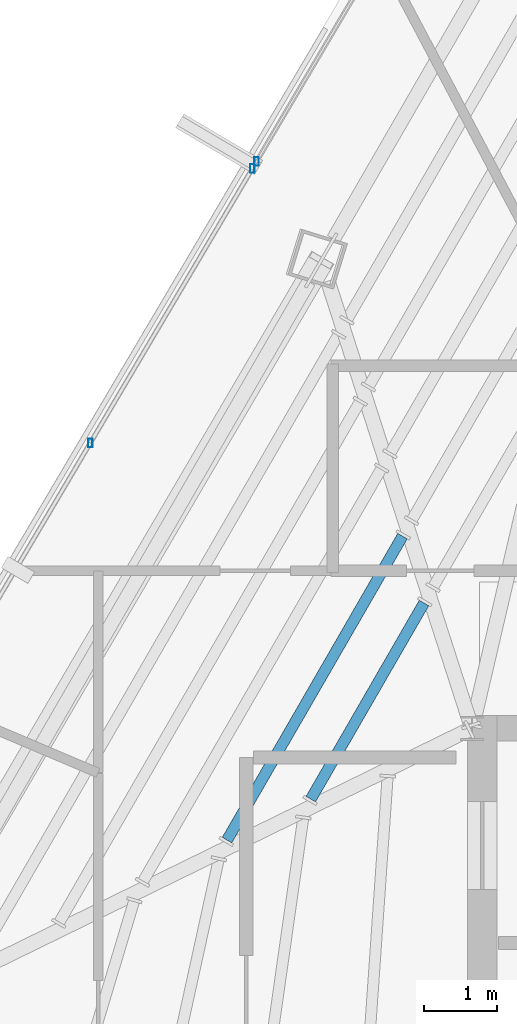
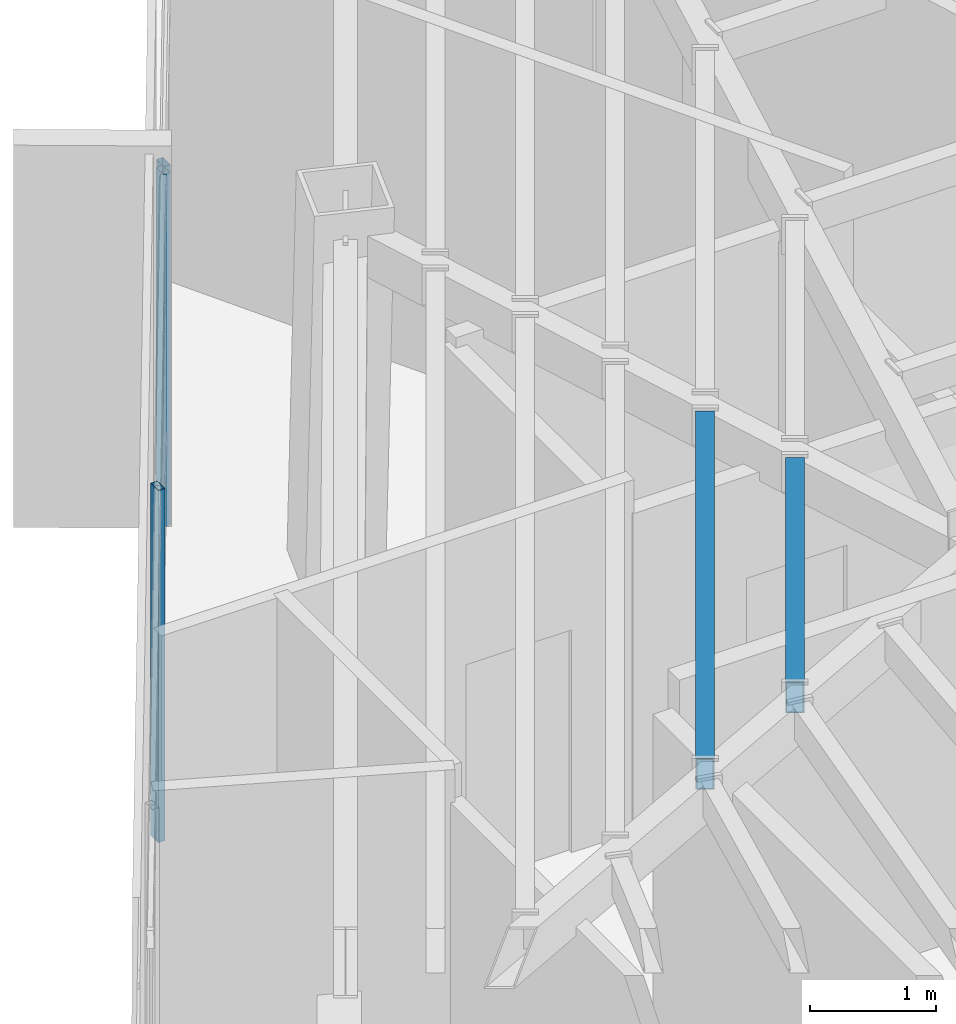
# One storey, part 17 of 45: 3 members, 2 beams, 2 elements without a shape of their own.
"""IFC4 building model written with IfcOpenShell, lengths in metres."""

from ifc_helpers import new_model, si_unit, direction, frame, origin, origin_2d, place, context, subcontext, project, spatial, hollow_rectangle, extrude, source, transform, mapped, material, material_profile, profile_set, type_object, type_shapes, element, aggregate, save


model = new_model("IFC4")

# Units and contexts
model_context = context("Model", 3, precision=1e-05, world=origin(), true_north=direction((0.0, 1.0)))
body_context = subcontext(model_context, "Body", "Model", "MODEL_VIEW")
ifc_project = project(units=[si_unit("LENGTHUNIT", "METRE"), si_unit("AREAUNIT", "SQUARE_METRE"), si_unit("VOLUMEUNIT", "CUBIC_METRE"), si_unit("PLANEANGLEUNIT", "RADIAN"), si_unit("MASSUNIT", "GRAM", prefix="KILO")], contexts=[model_context])

# Site, building, storey
site_placement = place(None, origin())
site = spatial("IfcSite", under=ifc_project, at=site_placement, CompositionType="ELEMENT")
building_placement = place(site_placement, origin())
building = spatial("IfcBuilding", under=site, at=building_placement, Name="Caelisora Broadcast Tower", CompositionType="ELEMENT")
storey_placement = place(building_placement, frame((0.0, 0.0, 262.699951171875)))
storey = spatial("IfcBuildingStorey", under=building, at=storey_placement, Name="L69", CompositionType="ELEMENT", Elevation=262.699951171875)

# Beams
ifc_material_1 = material(Name="Steel Grade 350 (AS/NZS 1163 C350L0)", Category="steel")
ifc_material_profile_1 = material_profile(ifc_material_1, hollow_rectangle(XDim=0.14990234375, YDim=0.300048828125, WallThickness=0.010009765625, at=origin_2d()), Name="Steel Grade 350 (AS/NZS 1163 C350L0)")
ifc_profile_set_1 = profile_set([ifc_material_profile_1], Name="Steel Grade 350 (AS/NZS 1163 C350L0)")
beam_type = type_object("IfcBeamType", Name="SB05", PredefinedType="JOIST", material=ifc_profile_set_1)
shared_shape_1 = source(origin(), body_context, "Body", "SweptSolid", [
    extrude(hollow_rectangle(XDim=0.14990234375, YDim=0.300048828125, WallThickness=0.010009765625, at=origin_2d()), origin(), (0.0, 0.0, 1.0), 3.091552734375),
])
beam_1_placement = place(storey_placement, frame((29.84619140625, 31.710693359375, 3.25), z_axis=(-0.50004601672, -0.865998834389, 0.0), x_axis=(0.865998834389, -0.50004601672, 0.0)))
element("IfcBeam", 1, at=beam_1_placement, inside=storey, type_object=beam_type, Name="L69 beam SB05", PredefinedType="JOIST", context=body_context, shape_type="MappedRepresentation", body=[
    mapped(shared_shape_1, transform((0.0, 0.0, 0.0), scale=1.0)),
])
shared_shape_2 = source(origin(), body_context, "Body", "SweptSolid", [
    extrude(hollow_rectangle(XDim=0.14990234375, YDim=0.300048828125, WallThickness=0.010009765625, at=origin_2d()), origin(), (0.0, 0.0, 1.0), 4.791259765625),
])
type_shapes(beam_type, [shared_shape_1, shared_shape_2])
beam_2_placement = place(storey_placement, frame((29.55224609375, 32.623291015625, 3.25), z_axis=(-0.500013559801, -0.866017574888, 0.0), x_axis=(0.866017574888, -0.500013559801, 0.0)))
element("IfcBeam", 2, at=beam_2_placement, inside=storey, type_object=beam_type, Name="L69 beam SB05", PredefinedType="JOIST", context=body_context, shape_type="MappedRepresentation", body=[
    mapped(shared_shape_2, transform((0.0, 0.0, 0.0), scale=1.0)),
])

# Curtain wall, members
ifc_material_2 = material(Name="Unitised Aluminium Insulated Shadow-Box Spandrel Curtain Wall", Category="aluminium")
curtain_wall_type_1 = type_object("IfcCurtainWallType", Name="CW-SP3", PredefinedType="NOTDEFINED", material=ifc_material_2)
curtain_wall_1_placement = place(storey_placement, origin())
curtain_wall_1 = element("IfcCurtainWall", 3, at=curtain_wall_1_placement, inside=storey, type_object=curtain_wall_type_1, Name="L69 curtain wall CW-SP3", PredefinedType="NOTDEFINED")
ifc_material_3 = material(Name="Aluminium 6063-T6 Anodised Terracotta Bronze", Category="aluminium")
ifc_material_profile_2 = material_profile(ifc_material_3, hollow_rectangle(XDim=0.06005859375, YDim=0.1201171875, WallThickness=0.0029296875, at=origin_2d()), Name="Aluminium 6063-T6 Anodised Terracotta Bronze")
ifc_profile_set_2 = profile_set([ifc_material_profile_2], Name="Aluminium 6063-T6 Anodised Terracotta Bronze")
member_type = type_object("IfcMemberType", Name="CWM-04", PredefinedType="MULLION", material=ifc_profile_set_2)
shared_shape_3 = source(origin(), body_context, "Body", "SweptSolid", [
    extrude(hollow_rectangle(XDim=0.06005859375, YDim=0.1201171875, WallThickness=0.0029296875, at=origin_2d()), origin(), (0.0, 0.0, 1.0), 3.400146484375),
])
type_shapes(member_type, [shared_shape_3])
member_1_placement = place(storey_placement, frame((25.291015625, 33.89501953125, 0.0), z_axis=(0.0, 0.0, 1.0), x_axis=(1.0, 0.0, 0.0)))
member_1 = element("IfcMember", 4, at=member_1_placement, type_object=member_type, Name="L69-CW-B10 mullion #2", PredefinedType="MULLION", context=body_context, shape_type="MappedRepresentation", body=[
    mapped(shared_shape_3, transform((0.0, 0.0, 0.0), scale=1.0)),
])
member_2_placement = place(storey_placement, frame((27.50390625, 37.64208984375, 0.0), z_axis=(0.0, 0.0, 1.0), x_axis=(1.0, 0.0, 0.0)))
member_2 = element("IfcMember", 5, at=member_2_placement, type_object=member_type, Name="L69-CW-B10 mullion #3", PredefinedType="MULLION", context=body_context, shape_type="MappedRepresentation", body=[
    mapped(shared_shape_3, transform((0.0, 0.0, 0.0), scale=1.0)),
])
aggregate(curtain_wall_1, [member_1, member_2])

# Curtain wall, member
ifc_material_4 = material(Name="Unitised Aluminium and Low-E Glass Curtain Wall", Category="glass")
curtain_wall_type_2 = type_object("IfcCurtainWallType", Name="CW-Z5", PredefinedType="NOTDEFINED", material=ifc_material_4)
curtain_wall_2_placement = place(storey_placement, origin())
curtain_wall_2 = element("IfcCurtainWall", 6, at=curtain_wall_2_placement, inside=storey, type_object=curtain_wall_type_2, Name="L69 curtain wall CW-Z5", PredefinedType="NOTDEFINED")
member_3_placement = place(storey_placement, frame((27.559814453125, 37.73681640625, 0.0), z_axis=(0.0, 0.0, 1.0), x_axis=(1.0, 0.0, 0.0)))
member_3 = element("IfcMember", 7, at=member_3_placement, type_object=member_type, Name="L69-CW-B11 mullion #0", PredefinedType="MULLION", context=body_context, shape_type="MappedRepresentation", body=[
    mapped(shared_shape_3, transform((0.0, 0.0, 0.0), scale=1.0)),
])
aggregate(curtain_wall_2, [member_3])

save(model, "model.ifc")
